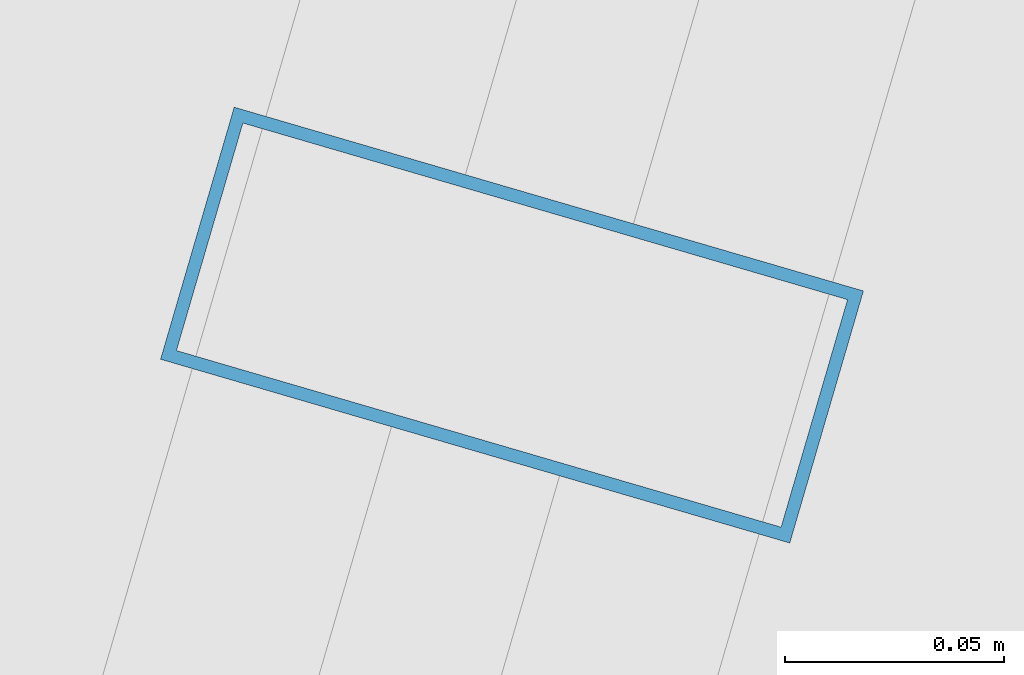
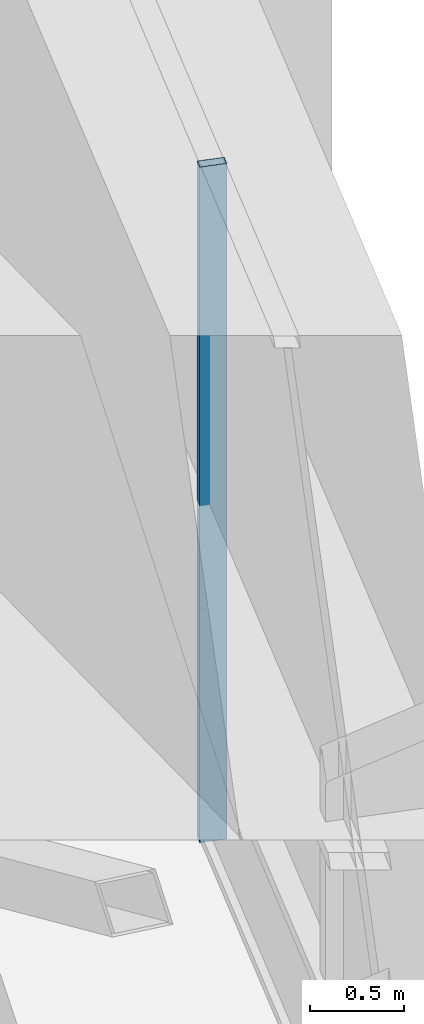
# One storey, part 26 of 39: 1 member, 1 element without a shape of its own.
"""IFC4 building model written with IfcOpenShell, lengths in metres."""

import ifcopenshell
import ifcopenshell.guid

model = None  # the IFC model being written
_history = None  # IfcOwnerHistory: only IFC2X3 demands one
_inside = {}  # id of a spatial element -> (the spatial element, [elements in it])
_under = {}  # id of a project, library or spatial element -> (it, [spatial elements below it])
_declared = {}  # id of a project -> (the project, [libraries it declares])
_typed = {}  # id of a type object -> (the type object, [elements of that type])
_made_of = {}  # id of a material, layer set ... -> (it, [elements and type objects made of it])


def new_model(schema):
    """Start an empty IFC model of exactly this schema.

    Asked for "IFC4X3", IfcOpenShell would pick the latest addendum, in which some entities
    have other attributes; the version numbers below select the first issue.
    IFC2X3 requires an IfcOwnerHistory on every rooted entity: one is made here for all.
    """
    global model, _history
    if schema == "IFC4X3":
        model = ifcopenshell.file(schema_version=(4, 3, 0, 0))
    else:
        model = ifcopenshell.file(schema=schema)
    _inside.clear()
    _under.clear()
    _declared.clear()
    _typed.clear()
    _made_of.clear()
    _history = None
    if model.schema == "IFC2X3":
        org = make("IfcOrganization", Name="unknown")
        user = make(
            "IfcPersonAndOrganization",
            ThePerson=make("IfcPerson", FamilyName="unknown"),
            TheOrganization=org,
        )
        app = make(
            "IfcApplication",
            ApplicationDeveloper=org,
            Version="unknown",
            ApplicationFullName="unknown",
            ApplicationIdentifier="unknown",
        )
        _history = make(
            "IfcOwnerHistory",
            OwningUser=user,
            OwningApplication=app,
            ChangeAction="ADDED",
            CreationDate=0,
        )
    return model


def make(cls, **values):
    """One entity of the class cls with the attributes given. An attribute that is None is left unset."""
    return model.create_entity(
        cls, **{name: value for name, value in values.items() if value is not None}
    )


def rooted(cls, **values):
    """An entity with a GlobalId (a new one), such as an element, a storey or a relation."""
    return make(cls, GlobalId=ifcopenshell.guid.new(), OwnerHistory=_history, **values)


def si_unit(unit_type, name, prefix=None):
    """IfcSIUnit, for example si_unit("LENGTHUNIT", "METRE", prefix="MILLI")."""
    return make("IfcSIUnit", UnitType=unit_type, Prefix=prefix, Name=name)


def assignment(units):
    """IfcUnitAssignment: the units of a project."""
    return None if units is None else make("IfcUnitAssignment", Units=units)


def point(xyz):
    """IfcCartesianPoint."""
    return None if xyz is None else make("IfcCartesianPoint", Coordinates=xyz)


def direction(xyz):
    """IfcDirection."""
    return None if xyz is None else make("IfcDirection", DirectionRatios=xyz)


def frame(location, z_axis=None, x_axis=None):
    """IfcAxis2Placement3D, a coordinate frame: its origin and axes. An axis left out is left unset."""
    return make(
        "IfcAxis2Placement3D",
        Location=point(location),
        Axis=direction(z_axis),
        RefDirection=direction(x_axis),
    )


def frame_2d(location, x_axis=None):
    """IfcAxis2Placement2D, a coordinate frame in the plane: its origin and x axis."""
    return make(
        "IfcAxis2Placement2D", Location=point(location), RefDirection=direction(x_axis)
    )


def origin():
    """The frame at (0, 0, 0) with its axes left unset."""
    return frame((0.0, 0.0, 0.0))


def origin_2d():
    """The frame at (0, 0) in the plane with its x axis left unset."""
    return frame_2d((0.0, 0.0))


def place(relative_to, where):
    """IfcLocalPlacement: puts the frame where relative to a parent placement (None: the world)."""
    return make(
        "IfcLocalPlacement", PlacementRelTo=relative_to, RelativePlacement=where
    )


def context(
    kind, dimensions, precision=None, world=None, true_north=None, identifier=None
):
    """IfcGeometricRepresentationContext, for example the 3D "Model" context."""
    return make(
        "IfcGeometricRepresentationContext",
        ContextIdentifier=identifier,
        ContextType=kind,
        CoordinateSpaceDimension=dimensions,
        Precision=precision,
        WorldCoordinateSystem=world,
        TrueNorth=true_north,
    )


def subcontext(parent, identifier, kind, view, scale=None):
    """IfcGeometricRepresentationSubContext, for example "Body" below "Model"."""
    return make(
        "IfcGeometricRepresentationSubContext",
        ContextIdentifier=identifier,
        ContextType=kind,
        ParentContext=parent,
        TargetScale=scale,
        TargetView=view,
    )


def project(units=None, contexts=None):
    """IfcProject with its units and contexts."""
    return rooted(
        "IfcProject",
        Name="project",
        RepresentationContexts=contexts,
        UnitsInContext=assignment(units),
    )


def spatial(cls, under=None, at=None, **own):
    """A site, building, storey or space (cls), placed at a placement, below another one or the project."""
    s = rooted(cls, ObjectPlacement=at, **own)
    if under is not None:
        _under.setdefault(under.id(), (under, []))[1].append(s)
    return s


def profile(cls, at=None, kind="AREA", **sizes):
    """A parametric profile (cls). Its sizes go by their IFC names, for example OverallWidth=200.0."""
    return make(cls, ProfileType=kind, Position=at, **sizes)


def hollow_rectangle(**sizes):
    """IfcRectangleHollowProfileDef."""
    return profile("IfcRectangleHollowProfileDef", **sizes)


def extrude(swept, where, along, depth):
    """IfcExtrudedAreaSolid: the profile swept, set in the frame where, extruded along a direction by depth."""
    return make(
        "IfcExtrudedAreaSolid",
        SweptArea=swept,
        Position=where,
        ExtrudedDirection=direction(along),
        Depth=depth,
    )


def shape(context_of_items, identifier, shape_type, items):
    """IfcShapeRepresentation: the items that make up one representation, for example the "Body"."""
    return make(
        "IfcShapeRepresentation",
        ContextOfItems=context_of_items,
        RepresentationIdentifier=identifier,
        RepresentationType=shape_type,
        Items=items,
    )


def source(mapping_origin, context_of_items, identifier, shape_type, items):
    """IfcRepresentationMap: a shape defined once, which mapped items show again and again."""
    return make(
        "IfcRepresentationMap",
        MappingOrigin=mapping_origin,
        MappedRepresentation=shape(context_of_items, identifier, shape_type, items),
    )


def transform(
    local_origin,
    x_axis=None,
    y_axis=None,
    z_axis=None,
    scale=None,
    scale2=None,
    scale3=None,
    uniform=True,
):
    """IfcCartesianTransformationOperator3D, or its non-uniform kind. x_axis, y_axis, z_axis: its Axis1, 2, 3."""
    if uniform:
        return make(
            "IfcCartesianTransformationOperator3D",
            Axis1=direction(x_axis),
            Axis2=direction(y_axis),
            LocalOrigin=point(local_origin),
            Scale=scale,
            Axis3=direction(z_axis),
        )
    return make(
        "IfcCartesianTransformationOperator3DnonUniform",
        Axis1=direction(x_axis),
        Axis2=direction(y_axis),
        LocalOrigin=point(local_origin),
        Scale=scale,
        Axis3=direction(z_axis),
        Scale2=scale2,
        Scale3=scale3,
    )


def mapped(mapping_source, mapping_target):
    """IfcMappedItem: shows the shape of a source again, moved by a transform."""
    return make(
        "IfcMappedItem", MappingSource=mapping_source, MappingTarget=mapping_target
    )


def material(Name=None, Category=None):
    """IfcMaterial."""
    return make("IfcMaterial", Name=Name, Category=Category)


def layer(
    of_material, thickness, ventilated=None, Name=None, Category=None, Priority=None
):
    """IfcMaterialLayer: one layer of a wall or slab, of a material (None: an air gap)."""
    return make(
        "IfcMaterialLayer",
        Material=of_material,
        LayerThickness=thickness,
        IsVentilated=ventilated,
        Name=Name,
        Category=Category,
        Priority=Priority,
    )


def layer_set(layers, Name=None):
    """IfcMaterialLayerSet."""
    return make("IfcMaterialLayerSet", MaterialLayers=layers, LayerSetName=Name)


def material_profile(
    of_material, cross_section, Name=None, Category=None, Priority=None
):
    """IfcMaterialProfile: a cross section and its material."""
    return make(
        "IfcMaterialProfile",
        Name=Name,
        Material=of_material,
        Profile=cross_section,
        Priority=Priority,
        Category=Category,
    )


def profile_set(profiles, Name=None, composite=None):
    """IfcMaterialProfileSet."""
    return make(
        "IfcMaterialProfileSet",
        Name=Name,
        MaterialProfiles=profiles,
        CompositeProfile=composite,
    )


def made_of(thing, what):
    """Note that an element or type object is made of a material, layer set ...; save() writes the relation."""
    if what is not None:
        _made_of.setdefault(what.id(), (what, []))[1].append(thing)
    return thing


def type_object(cls, material=None, **own):
    """A type object (cls), such as IfcWallType, which elements share."""
    return made_of(rooted(cls, **own), material)


def element(
    cls,
    number,
    at=None,
    inside=None,
    cuts=None,
    type_object=None,
    material=None,
    context=None,
    identifier="Body",
    shape_type=None,
    held_by="IfcProductDefinitionShape",
    body=None,
    shapes=None,
    **own,
):
    """One element of the class cls, such as IfcWall. Its Tag is "e" and its number.

    at: its placement. inside: the storey or other place that contains it. cuts: it is an
    opening in that element (IfcRelVoidsElement). A single representation is given by context,
    identifier, shape_type and body (its items); several are given by shapes. held_by: the class
    of the entity that holds the representations. save() writes the other relations.
    """
    e = rooted(cls, Tag="e%d" % number, ObjectPlacement=at, **own)
    if body is not None:
        shapes = [shape(context, identifier, shape_type, body)]
    if shapes is not None:
        e.Representation = make(held_by, Representations=shapes)
    if inside is not None:
        _inside.setdefault(inside.id(), (inside, []))[1].append(e)
    if cuts is not None:
        rooted(
            "IfcRelVoidsElement", RelatingBuildingElement=cuts, RelatedOpeningElement=e
        )
    if type_object is not None:
        _typed.setdefault(type_object.id(), (type_object, []))[1].append(e)
    return made_of(e, material)


def aggregate(whole, parts):
    """IfcRelAggregates: a whole, such as a stair, and the parts it consists of."""
    return rooted("IfcRelAggregates", RelatingObject=whole, RelatedObjects=parts)


def save(model, path):
    """Write the relations noted so far, then the file.

    IfcRelAggregates (storeys below a building ...), IfcRelContainedInSpatialStructure (elements
    in a storey), IfcRelDefinesByType, IfcRelAssociatesMaterial and IfcRelDeclares: one each for
    every whole, place, type object, material and project.
    """
    for whole, parts in _under.values():
        aggregate(whole, parts)
    for where, things in _inside.values():
        rooted(
            "IfcRelContainedInSpatialStructure",
            RelatedElements=things,
            RelatingStructure=where,
        )
    for kind, things in _typed.values():
        rooted("IfcRelDefinesByType", RelatedObjects=things, RelatingType=kind)
    for what, things in _made_of.values():
        rooted("IfcRelAssociatesMaterial", RelatedObjects=things, RelatingMaterial=what)
    for by, libraries in _declared.values():
        rooted("IfcRelDeclares", RelatingContext=by, RelatedDefinitions=libraries)
    model.write(path)


model = new_model("IFC4")

# Units and contexts
model_context = context("Model", 3, precision=1e-05, world=origin(), true_north=direction((0.0, 1.0)))
body_context = subcontext(model_context, "Body", "Model", "MODEL_VIEW")
ifc_project = project(units=[si_unit("LENGTHUNIT", "METRE"), si_unit("AREAUNIT", "SQUARE_METRE"), si_unit("VOLUMEUNIT", "CUBIC_METRE"), si_unit("PLANEANGLEUNIT", "RADIAN"), si_unit("MASSUNIT", "GRAM", prefix="KILO")], contexts=[model_context])

# Site, building, storey
site_placement = place(None, origin())
site = spatial("IfcSite", under=ifc_project, at=site_placement, CompositionType="ELEMENT")
building_placement = place(site_placement, origin())
building = spatial("IfcBuilding", under=site, at=building_placement, Name="Veraguas Prism Commons", CompositionType="ELEMENT")
storey_placement = place(building_placement, frame((0.0, 0.0, 264.25)))
storey = spatial("IfcBuildingStorey", under=building, at=storey_placement, Name="L75", CompositionType="ELEMENT", Elevation=264.25)

# Curtain wall, member
ifc_material = material(Name="Anodised aluminium EN AW-6063 T6", Category="aluminium")
ifc_layer = layer(ifc_material, 0.14990234375, Name="Unitised Flush Curtain Wall Zone 4", Category="aluminium")
ifc_layer_set = layer_set([ifc_layer], Name="Anodised aluminium EN AW-6063 T6")
curtain_wall_type = type_object("IfcCurtainWallType", Name="Unitised Flush Curtain Wall Zone 4", PredefinedType="NOTDEFINED", material=ifc_layer_set)
curtain_wall_placement = place(storey_placement, origin())
curtain_wall = element("IfcCurtainWall", 1, at=curtain_wall_placement, inside=storey, type_object=curtain_wall_type, Name="Tower Facade Curtain Wall L75-F6", PredefinedType="NOTDEFINED")
ifc_material_profile = material_profile(ifc_material, hollow_rectangle(XDim=0.06005859375, YDim=0.14990234375, WallThickness=0.0029296875, at=origin_2d()), Name="AL60X150X3")
ifc_profile_set = profile_set([ifc_material_profile], Name="Anodised aluminium EN AW-6063 T6")
member_type = type_object("IfcMemberType", Name="Curtain Wall Mullion Upper AL 60x150x3", PredefinedType="MULLION", material=ifc_profile_set)
shared_shape = source(origin(), body_context, "Body", "SweptSolid", [
    extrude(hollow_rectangle(XDim=0.06005859375, YDim=0.14990234375, WallThickness=0.0029296875, at=origin_2d()), origin(), (0.0, 0.0, 1.0), 4.389892578125),
])
member_placement = place(storey_placement, frame((39.794677734375, 19.38720703125, 0.0), z_axis=(0.0, 0.0, 1.0), x_axis=(0.28033835796, 0.959901247554, 0.0)))
member = element("IfcMember", 2, at=member_placement, type_object=member_type, Name="CW-Z4 Mullion 3", PredefinedType="MULLION", context=body_context, shape_type="MappedRepresentation", body=[
    mapped(shared_shape, transform((0.0, 0.0, 0.0), scale=1.0)),
])
aggregate(curtain_wall, [member])

save(model, "model.ifc")
